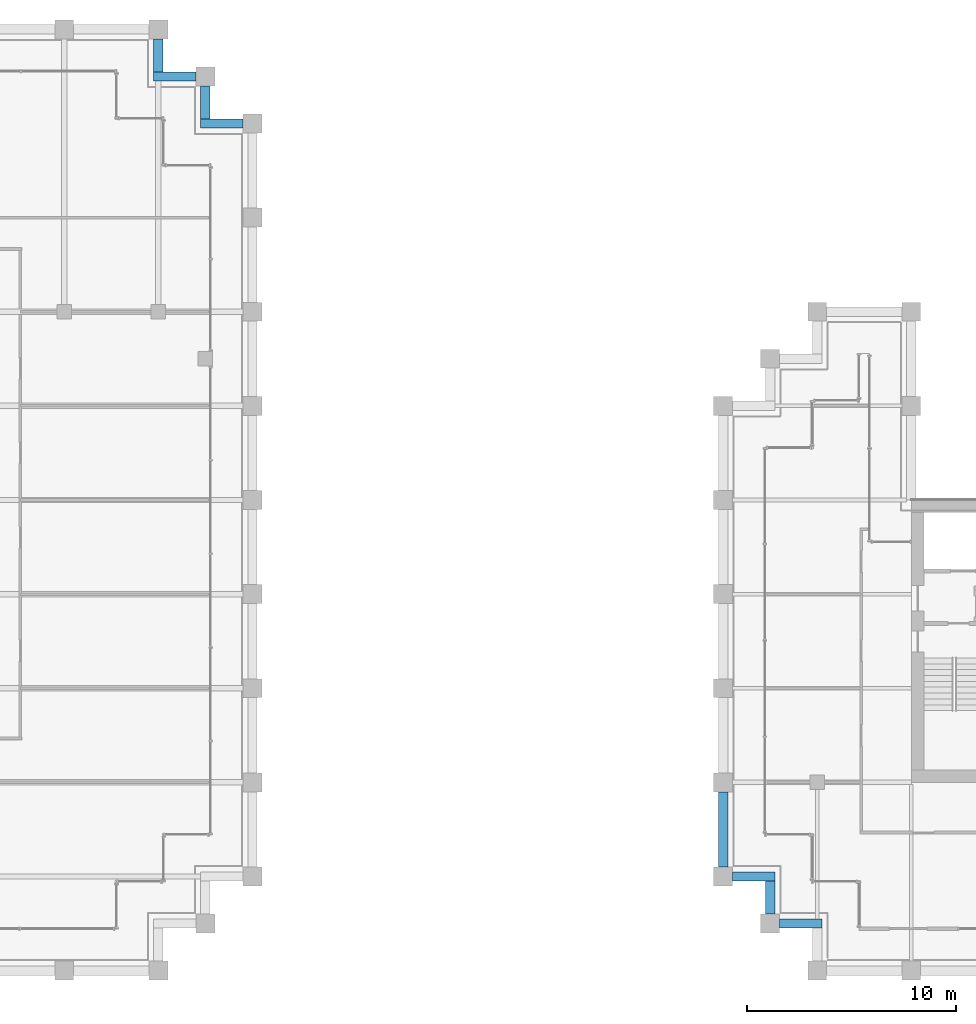
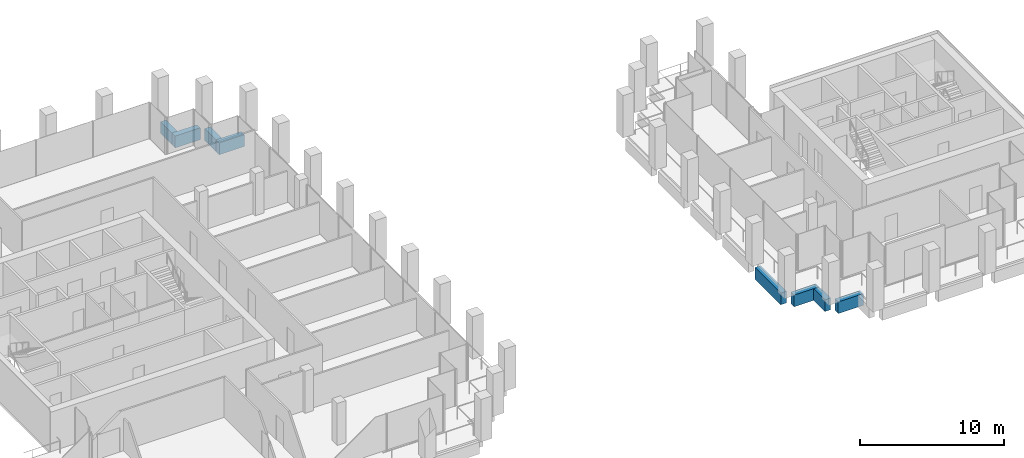
# One storey, part 27 of 40: 8 beams.
"""IFC4 building model written with IfcOpenShell, lengths in metres."""

from ifc_helpers import new_model, si_unit, direction, frame, origin, origin_2d, place, context, subcontext, project, spatial, rectangle, extrude, material, material_profile, profile_set, type_object, element, save


model = new_model("IFC4")

# Units and contexts
model_context = context("Model", 3, precision=1e-05, world=origin(), true_north=direction((0.0, 1.0)))
body_context = subcontext(model_context, "Body", "Model", "MODEL_VIEW")
ifc_project = project(units=[si_unit("LENGTHUNIT", "METRE"), si_unit("AREAUNIT", "SQUARE_METRE"), si_unit("VOLUMEUNIT", "CUBIC_METRE"), si_unit("PLANEANGLEUNIT", "RADIAN"), si_unit("MASSUNIT", "GRAM", prefix="KILO")], contexts=[model_context])

# Site, building, storey
site_placement = place(None, origin())
site = spatial("IfcSite", under=ifc_project, at=site_placement, CompositionType="ELEMENT")
building_placement = place(site_placement, origin())
building = spatial("IfcBuilding", under=site, at=building_placement, Name="Altepetl Exchange Towers", CompositionType="ELEMENT")
storey_placement = place(building_placement, frame((0.0, 0.0, 179.800048828125)))
storey = spatial("IfcBuildingStorey", under=building, at=storey_placement, Name="L45", CompositionType="ELEMENT", Elevation=179.800048828125)

# Beams
ifc_material_1 = material(Name="Concrete C50/60 precast with cantera rosa facing", Category="concrete")
ifc_material_profile_1 = material_profile(ifc_material_1, rectangle(XDim=0.449951171875, YDim=1.0, at=origin_2d()), Name="450 x 1000")
ifc_profile_set_1 = profile_set([ifc_material_profile_1], Name="Concrete C50/60 precast with cantera rosa facing")
beam_type_1 = type_object("IfcBeamType", Name="Spandrel beam 450x1000 cantera rosa", PredefinedType="SPANDREL", material=ifc_profile_set_1)
beam_1_placement = place(storey_placement, frame((71.550048828125, 67.5, -0.650146484375), z_axis=(-1.0, 0.0, 0.0), x_axis=(0.0, -1.0, 0.0)))
element("IfcBeam", 1, at=beam_1_placement, inside=storey, type_object=beam_type_1, Name="sp:A:L45:020", PredefinedType="SPANDREL", context=body_context, shape_type="SweptSolid", body=[
    extrude(rectangle(XDim=0.449951171875, YDim=1.0, at=origin_2d()), origin(), (0.0, 0.0, 1.0), 2.025146484375),
])
beam_2_placement = place(storey_placement, frame((69.75, 67.72509765625, -0.650146484375), z_axis=(0.0, 1.0, 0.0), x_axis=(-1.0, 0.0, 0.0)))
element("IfcBeam", 2, at=beam_2_placement, inside=storey, type_object=beam_type_1, Name="sp:A:L45:021", PredefinedType="SPANDREL", context=body_context, shape_type="SweptSolid", body=[
    extrude(rectangle(XDim=0.449951171875, YDim=1.0, at=origin_2d()), origin(), (0.0, 0.0, 1.0), 1.574951171875),
])
beam_3_placement = place(storey_placement, frame((69.300048828125, 69.75, -0.650146484375), z_axis=(-1.0, 0.0, 0.0), x_axis=(0.0, -1.0, 0.0)))
element("IfcBeam", 3, at=beam_3_placement, inside=storey, type_object=beam_type_1, Name="sp:A:L45:022", PredefinedType="SPANDREL", context=body_context, shape_type="SweptSolid", body=[
    extrude(rectangle(XDim=0.449951171875, YDim=1.0, at=origin_2d()), origin(), (0.0, 0.0, 1.0), 2.025146484375),
])
beam_4_placement = place(storey_placement, frame((67.5, 69.97509765625, -0.650146484375), z_axis=(0.0, 1.0, 0.0), x_axis=(-1.0, 0.0, 0.0)))
element("IfcBeam", 4, at=beam_4_placement, inside=storey, type_object=beam_type_1, Name="sp:A:L45:023", PredefinedType="SPANDREL", context=body_context, shape_type="SweptSolid", body=[
    extrude(rectangle(XDim=0.449951171875, YDim=1.0, at=origin_2d()), origin(), (0.0, 0.0, 1.0), 1.574951171875),
])
ifc_material_2 = material(Name="Concrete C50/60 precast with tezontle facing", Category="concrete")
ifc_material_profile_2 = material_profile(ifc_material_2, rectangle(XDim=0.449951171875, YDim=1.0, at=origin_2d()), Name="450 x 1000")
ifc_profile_set_2 = profile_set([ifc_material_profile_2], Name="Concrete C50/60 precast with tezontle facing")
beam_type_2 = type_object("IfcBeamType", Name="Spandrel beam 450x1000 tezontle", PredefinedType="SPANDREL", material=ifc_profile_set_2)
beam_5_placement = place(storey_placement, frame((94.5, 35.550048828125, -0.650146484375), z_axis=(0.0, -1.0, 0.0), x_axis=(1.0, 0.0, 0.0)))
element("IfcBeam", 5, at=beam_5_placement, inside=storey, type_object=beam_type_2, Name="sp:B:L45:019", PredefinedType="SPANDREL", context=body_context, shape_type="SweptSolid", body=[
    extrude(rectangle(XDim=0.449951171875, YDim=1.0, at=origin_2d()), origin(), (0.0, 0.0, 1.0), 3.60009765625),
])
beam_6_placement = place(storey_placement, frame((94.949951171875, 31.5, -0.650146484375), z_axis=(1.0, 0.0, 0.0), x_axis=(0.0, 1.0, 0.0)))
element("IfcBeam", 6, at=beam_6_placement, inside=storey, type_object=beam_type_2, Name="sp:B:L45:020", PredefinedType="SPANDREL", context=body_context, shape_type="SweptSolid", body=[
    extrude(rectangle(XDim=0.449951171875, YDim=1.0, at=origin_2d()), origin(), (0.0, 0.0, 1.0), 2.025146484375),
])
beam_7_placement = place(storey_placement, frame((96.75, 31.27490234375, -0.650146484375), z_axis=(0.0, -1.0, 0.0), x_axis=(1.0, 0.0, 0.0)))
element("IfcBeam", 7, at=beam_7_placement, inside=storey, type_object=beam_type_2, Name="sp:B:L45:021", PredefinedType="SPANDREL", context=body_context, shape_type="SweptSolid", body=[
    extrude(rectangle(XDim=0.449951171875, YDim=1.0, at=origin_2d()), origin(), (0.0, 0.0, 1.0), 1.574951171875),
])
beam_8_placement = place(storey_placement, frame((97.199951171875, 29.25, -0.650146484375), z_axis=(1.0, 0.0, 0.0), x_axis=(0.0, 1.0, 0.0)))
element("IfcBeam", 8, at=beam_8_placement, inside=storey, type_object=beam_type_2, Name="sp:B:L45:022", PredefinedType="SPANDREL", context=body_context, shape_type="SweptSolid", body=[
    extrude(rectangle(XDim=0.449951171875, YDim=1.0, at=origin_2d()), origin(), (0.0, 0.0, 1.0), 2.025146484375),
])

save(model, "model.ifc")
